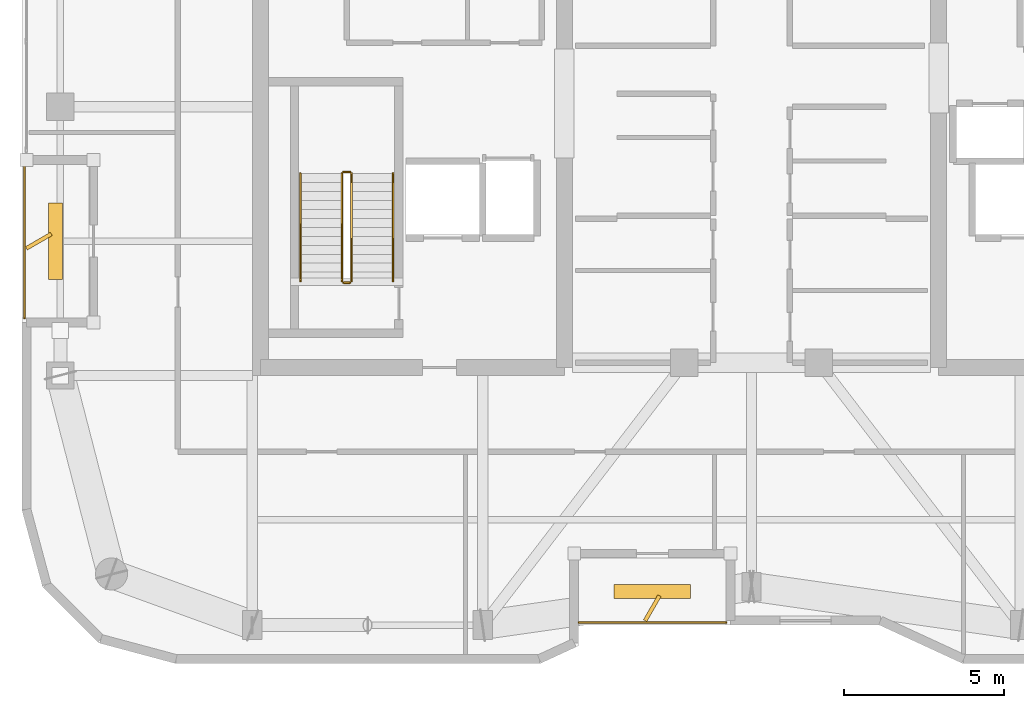
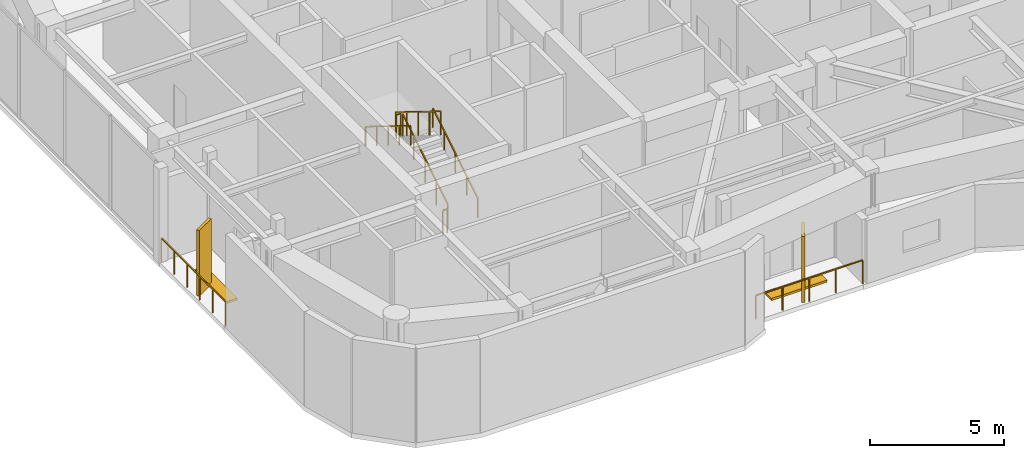
# One storey, part 14 of 16: 8 railings, 4 shading devices.
"""IFC4 building model written with IfcOpenShell, lengths in metres."""

from ifc_helpers import new_model, si_unit, direction, frame, origin, origin_2d, place, context, subcontext, project, spatial, rectangle, extrude, material, type_object, element, save


model = new_model("IFC4")

# Units and contexts
model_context = context("Model", 3, precision=1e-05, world=origin(), true_north=direction((0.0, 1.0)))
body_context = subcontext(model_context, "Body", "Model", "MODEL_VIEW")
ifc_project = project(units=[si_unit("LENGTHUNIT", "METRE"), si_unit("AREAUNIT", "SQUARE_METRE"), si_unit("VOLUMEUNIT", "CUBIC_METRE"), si_unit("PLANEANGLEUNIT", "RADIAN"), si_unit("MASSUNIT", "GRAM", prefix="KILO")], contexts=[model_context])

# Site, building, storey
site_placement = place(None, origin())
site = spatial("IfcSite", under=ifc_project, at=site_placement, CompositionType="ELEMENT")
building_placement = place(site_placement, origin())
building = spatial("IfcBuilding", under=site, at=building_placement, Name="Kiyonajd Concourse Tower", CompositionType="ELEMENT")
storey_placement = place(building_placement, frame((0.0, 0.0, 337.5)))
storey = spatial("IfcBuildingStorey", under=building, at=storey_placement, Name="L85", CompositionType="ELEMENT", Elevation=337.5)

# Railings
ifc_material_1 = material(Name="Thermally Broken Anodised Aluminium", Category="aluminium")
railing_type_1 = type_object("IfcRailingType", Name="RL-GRD-LOG", PredefinedType="GUARDRAIL", material=ifc_material_1)
railing_1_placement = place(storey_placement, frame((42.60009765625, 19.8798828125, 0.0)))
element("IfcRailing", 1, at=railing_1_placement, inside=storey, type_object=railing_type_1, Name="L85 Engawa Loggia Perimeter Guard LOG-S", PredefinedType="GUARDRAIL", context=body_context, shape_type="SweptSolid", body=[
    extrude(rectangle(XDim=0.048095703125, YDim=0.048095703125, at=origin_2d()), frame((0.0, 0.0, 1.076171875), z_axis=(1.0, 0.0, 0.0), x_axis=(0.0, 1.0, 0.0)), (0.0, 0.0, 1.0), 4.599853515625),
    extrude(rectangle(XDim=0.0419921875, YDim=0.0419921875, at=origin_2d()), origin(), (0.0, 0.0, 1.0), 1.052001953125),
    extrude(rectangle(XDim=0.0419921875, YDim=0.0419921875, at=origin_2d()), frame((1.14990234375, 0.0, 0.0)), (0.0, 0.0, 1.0), 1.052001953125),
    extrude(rectangle(XDim=0.0419921875, YDim=0.0419921875, at=origin_2d()), frame((2.2998046875, 0.0, 0.0)), (0.0, 0.0, 1.0), 1.052001953125),
    extrude(rectangle(XDim=0.0419921875, YDim=0.0419921875, at=origin_2d()), frame((3.449951171875, 0.0, 0.0)), (0.0, 0.0, 1.0), 1.052001953125),
    extrude(rectangle(XDim=0.0419921875, YDim=0.0419921875, at=origin_2d()), frame((4.599853515625, 0.0, 0.0)), (0.0, 0.0, 1.0), 1.052001953125),
])
railing_2_placement = place(storey_placement, frame((25.280029296875, 34.199951171875, 0.0)))
element("IfcRailing", 2, at=railing_2_placement, inside=storey, type_object=railing_type_1, Name="L85 Engawa Loggia Perimeter Guard LOG-W", PredefinedType="GUARDRAIL", context=body_context, shape_type="SweptSolid", body=[
    extrude(rectangle(XDim=0.048095703125, YDim=0.048095703125, at=origin_2d()), frame((0.0, 0.0, 1.076171875), z_axis=(0.0, -1.0, 0.0), x_axis=(1.0, 0.0, 0.0)), (0.0, 0.0, 1.0), 4.800048828125),
    extrude(rectangle(XDim=0.0419921875, YDim=0.0419921875, at=origin_2d()), origin(), (0.0, 0.0, 1.0), 1.052001953125),
    extrude(rectangle(XDim=0.0419921875, YDim=0.0419921875, at=origin_2d()), frame((0.0, -0.9599609375, 0.0)), (0.0, 0.0, 1.0), 1.052001953125),
    extrude(rectangle(XDim=0.0419921875, YDim=0.0419921875, at=origin_2d()), frame((0.0, -1.919921875, 0.0)), (0.0, 0.0, 1.0), 1.052001953125),
    extrude(rectangle(XDim=0.0419921875, YDim=0.0419921875, at=origin_2d()), frame((0.0, -2.880126953125, 0.0)), (0.0, 0.0, 1.0), 1.052001953125),
    extrude(rectangle(XDim=0.0419921875, YDim=0.0419921875, at=origin_2d()), frame((0.0, -3.840087890625, 0.0)), (0.0, 0.0, 1.0), 1.052001953125),
    extrude(rectangle(XDim=0.0419921875, YDim=0.0419921875, at=origin_2d()), frame((0.0, -4.800048828125, 0.0)), (0.0, 0.0, 1.0), 1.052001953125),
])
ifc_material_2 = material(Name="Steel ASTM A500 Grade C", Category="steel")
railing_type_2 = type_object("IfcRailingType", Name="RL-GRD-STR", PredefinedType="GUARDRAIL", material=ifc_material_2)
railing_3_placement = place(storey_placement, frame((35.5, 30.550048828125, 0.173095703125)))
element("IfcRailing", 3, at=railing_3_placement, inside=storey, type_object=railing_type_2, Name="L85 ST1 stair guard 1", PredefinedType="GUARDRAIL", context=body_context, shape_type="SweptSolid", body=[
    extrude(rectangle(XDim=0.048095703125, YDim=0.048095703125, at=origin_2d()), frame((0.0, 0.0, 1.076171875), z_axis=(0.0, 0.850606129759, 0.525803396734), x_axis=(-1.0, 0.0, 0.0)), (0.0, 0.0, 1.0), 3.949951171875),
    extrude(rectangle(XDim=0.0419921875, YDim=0.0419921875, at=origin_2d()), origin(), (0.0, 0.0, 1.0), 1.052001953125),
    extrude(rectangle(XDim=0.0419921875, YDim=0.0419921875, at=origin_2d()), frame((0.0, 0.83984375, 0.519287109375)), (0.0, 0.0, 1.0), 1.052001953125),
    extrude(rectangle(XDim=0.0419921875, YDim=0.0419921875, at=origin_2d()), frame((0.0, 1.679931640625, 1.03857421875)), (0.0, 0.0, 1.0), 1.052001953125),
    extrude(rectangle(XDim=0.0419921875, YDim=0.0419921875, at=origin_2d()), frame((0.0, 2.52001953125, 1.5576171875)), (0.0, 0.0, 1.0), 1.052001953125),
    extrude(rectangle(XDim=0.0419921875, YDim=0.0419921875, at=origin_2d()), frame((0.0, 3.35986328125, 2.076904296875)), (0.0, 0.0, 1.0), 1.052001953125),
])
railing_4_placement = place(storey_placement, frame((35.449951171875, 33.9599609375, 2.25)))
element("IfcRailing", 4, at=railing_4_placement, inside=storey, type_object=railing_type_2, Name="L85 ST1 stair guard 2", PredefinedType="GUARDRAIL", context=body_context, shape_type="SweptSolid", body=[
    extrude(rectangle(XDim=0.048095703125, YDim=0.048095703125, at=origin_2d()), frame((0.0, 0.0, 1.076171875), z_axis=(-1.0, 0.0, 0.0), x_axis=(0.0, -1.0, 0.0)), (0.0, 0.0, 1.0), 0.199951171875),
    extrude(rectangle(XDim=0.0419921875, YDim=0.0419921875, at=origin_2d()), origin(), (0.0, 0.0, 1.0), 1.052001953125),
    extrude(rectangle(XDim=0.0419921875, YDim=0.0419921875, at=origin_2d()), frame((-0.199951171875, 0.0, 0.0)), (0.0, 0.0, 1.0), 1.052001953125),
])
railing_5_placement = place(storey_placement, frame((35.199951171875, 33.909912109375, 2.423095703125)))
element("IfcRailing", 5, at=railing_5_placement, inside=storey, type_object=railing_type_2, Name="L85 ST1 stair guard 3", PredefinedType="GUARDRAIL", context=body_context, shape_type="SweptSolid", body=[
    extrude(rectangle(XDim=0.048095703125, YDim=0.048095703125, at=origin_2d()), frame((0.0, 0.0, 1.076171875), z_axis=(0.0, -0.850606129759, 0.525803396734), x_axis=(1.0, 0.0, 0.0)), (0.0, 0.0, 1.0), 3.949951171875),
    extrude(rectangle(XDim=0.0419921875, YDim=0.0419921875, at=origin_2d()), origin(), (0.0, 0.0, 1.0), 1.052001953125),
    extrude(rectangle(XDim=0.0419921875, YDim=0.0419921875, at=origin_2d()), frame((0.0, -0.83984375, 0.519287109375)), (0.0, 0.0, 1.0), 1.052001953125),
    extrude(rectangle(XDim=0.0419921875, YDim=0.0419921875, at=origin_2d()), frame((0.0, -1.679931640625, 1.03857421875)), (0.0, 0.0, 1.0), 1.052001953125),
    extrude(rectangle(XDim=0.0419921875, YDim=0.0419921875, at=origin_2d()), frame((0.0, -2.52001953125, 1.5576171875)), (0.0, 0.0, 1.0), 1.052001953125),
    extrude(rectangle(XDim=0.0419921875, YDim=0.0419921875, at=origin_2d()), frame((0.0, -3.35986328125, 2.076904296875)), (0.0, 0.0, 1.0), 1.052001953125),
])
railing_6_placement = place(storey_placement, frame((35.449951171875, 30.5, 0.0)))
element("IfcRailing", 6, at=railing_6_placement, inside=storey, type_object=railing_type_2, Name="L85 ST1 stair guard 4", PredefinedType="GUARDRAIL", context=body_context, shape_type="SweptSolid", body=[
    extrude(rectangle(XDim=0.048095703125, YDim=0.048095703125, at=origin_2d()), frame((0.0, 0.0, 1.076171875), z_axis=(-1.0, 0.0, 0.0), x_axis=(0.0, -1.0, 0.0)), (0.0, 0.0, 1.0), 0.199951171875),
    extrude(rectangle(XDim=0.0419921875, YDim=0.0419921875, at=origin_2d()), origin(), (0.0, 0.0, 1.0), 1.052001953125),
    extrude(rectangle(XDim=0.0419921875, YDim=0.0419921875, at=origin_2d()), frame((-0.199951171875, 0.0, 0.0)), (0.0, 0.0, 1.0), 1.052001953125),
])
ifc_material_3 = material(Name="Brushed Stainless Steel Cab Assembly", Category="steel")
railing_type_3 = type_object("IfcRailingType", Name="RL-HND-900", PredefinedType="HANDRAIL", material=ifc_material_3)
railing_7_placement = place(storey_placement, frame((36.800048828125, 30.550048828125, 0.173095703125)))
element("IfcRailing", 7, at=railing_7_placement, inside=storey, type_object=railing_type_3, Name="L85 ST1 stair handrail 1", PredefinedType="HANDRAIL", context=body_context, shape_type="SweptSolid", body=[
    extrude(rectangle(XDim=0.048095703125, YDim=0.048095703125, at=origin_2d()), frame((0.0, 0.0, 0.8759765625), z_axis=(0.0, 0.850606129759, 0.525803396734), x_axis=(-1.0, 0.0, 0.0)), (0.0, 0.0, 1.0), 3.949951171875),
    extrude(rectangle(XDim=0.0419921875, YDim=0.0419921875, at=origin_2d()), origin(), (0.0, 0.0, 1.0), 0.851806640625),
    extrude(rectangle(XDim=0.0419921875, YDim=0.0419921875, at=origin_2d()), frame((0.0, 0.83984375, 0.519287109375)), (0.0, 0.0, 1.0), 0.851806640625),
    extrude(rectangle(XDim=0.0419921875, YDim=0.0419921875, at=origin_2d()), frame((0.0, 1.679931640625, 1.03857421875)), (0.0, 0.0, 1.0), 0.851806640625),
    extrude(rectangle(XDim=0.0419921875, YDim=0.0419921875, at=origin_2d()), frame((0.0, 2.52001953125, 1.5576171875)), (0.0, 0.0, 1.0), 0.851806640625),
    extrude(rectangle(XDim=0.0419921875, YDim=0.0419921875, at=origin_2d()), frame((0.0, 3.35986328125, 2.076904296875)), (0.0, 0.0, 1.0), 0.851806640625),
])
railing_8_placement = place(storey_placement, frame((33.89990234375, 33.909912109375, 2.423095703125)))
element("IfcRailing", 8, at=railing_8_placement, inside=storey, type_object=railing_type_3, Name="L85 ST1 stair handrail 2", PredefinedType="HANDRAIL", context=body_context, shape_type="SweptSolid", body=[
    extrude(rectangle(XDim=0.048095703125, YDim=0.048095703125, at=origin_2d()), frame((0.0, 0.0, 0.8759765625), z_axis=(0.0, -0.850606129759, 0.525803396734), x_axis=(1.0, 0.0, 0.0)), (0.0, 0.0, 1.0), 3.949951171875),
    extrude(rectangle(XDim=0.0419921875, YDim=0.0419921875, at=origin_2d()), origin(), (0.0, 0.0, 1.0), 0.851806640625),
    extrude(rectangle(XDim=0.0419921875, YDim=0.0419921875, at=origin_2d()), frame((0.0, -0.83984375, 0.519287109375)), (0.0, 0.0, 1.0), 0.851806640625),
    extrude(rectangle(XDim=0.0419921875, YDim=0.0419921875, at=origin_2d()), frame((0.0, -1.679931640625, 1.03857421875)), (0.0, 0.0, 1.0), 0.851806640625),
    extrude(rectangle(XDim=0.0419921875, YDim=0.0419921875, at=origin_2d()), frame((0.0, -2.52001953125, 1.5576171875)), (0.0, 0.0, 1.0), 0.851806640625),
    extrude(rectangle(XDim=0.0419921875, YDim=0.0419921875, at=origin_2d()), frame((0.0, -3.35986328125, 2.076904296875)), (0.0, 0.0, 1.0), 0.851806640625),
])

# Shading devices
ifc_material_4 = material(Name="Precast concrete C50/60", Category="concrete")
shading_device_type_1 = type_object("IfcShadingDeviceType", Name="SH-FIN-900", PredefinedType="USERDEFINED", material=ifc_material_4)
for number, where, z_axis, x_axis, name in (
    (9, (44.89990234375, 20.330078125, 0.0), (0.0, 0.0, 1.0), (0.5, 0.866025403784, 0.0), "L85 Angled Koshi Solar Fin LOG-S"),
    (10, (25.72998046875, 31.800048828125, 0.0), (0.0, 0.0, 1.0), (0.866025403784, 0.5, 0.0), "L85 Angled Koshi Solar Fin LOG-W"),
):
    element("IfcShadingDevice", number, at=place(storey_placement, frame(where, z_axis=z_axis, x_axis=x_axis)), inside=storey, type_object=shading_device_type_1, Name=name, ObjectType="FIN", PredefinedType="USERDEFINED", context=body_context, shape_type="SweptSolid", body=[
        extrude(rectangle(XDim=0.89990234375, YDim=0.1201171875, at=origin_2d()), origin(), (0.0, 0.0, 1.0), 3.0),
    ])
shading_device_type_2 = type_object("IfcShadingDeviceType", Name="SH-LVR-600", PredefinedType="JALOUSIE", material=ifc_material_1)
for number, where, z_axis, x_axis, name in (
    (11, (44.89990234375, 20.85009765625, 0.0), (0.0, 0.0, 1.0), (1.0, 0.0, 0.0), "L85 Loggia Threshold Louver LOG-S"),
    (12, (26.25, 31.800048828125, 0.0), (0.0, 0.0, 1.0), (0.0, 1.0, 0.0), "L85 Loggia Threshold Louver LOG-W"),
):
    element("IfcShadingDevice", number, at=place(storey_placement, frame(where, z_axis=z_axis, x_axis=x_axis)), inside=storey, type_object=shading_device_type_2, Name=name, PredefinedType="JALOUSIE", context=body_context, shape_type="SweptSolid", body=[
        extrude(rectangle(XDim=2.39990234375, YDim=0.449951171875, at=origin_2d()), origin(), (0.0, 0.0, 1.0), 0.10009765625),
    ])

save(model, "model.ifc")
